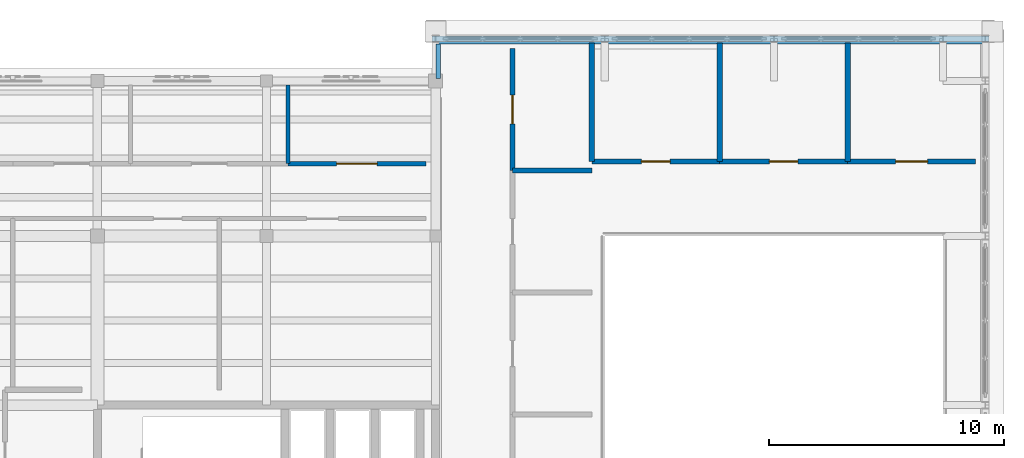
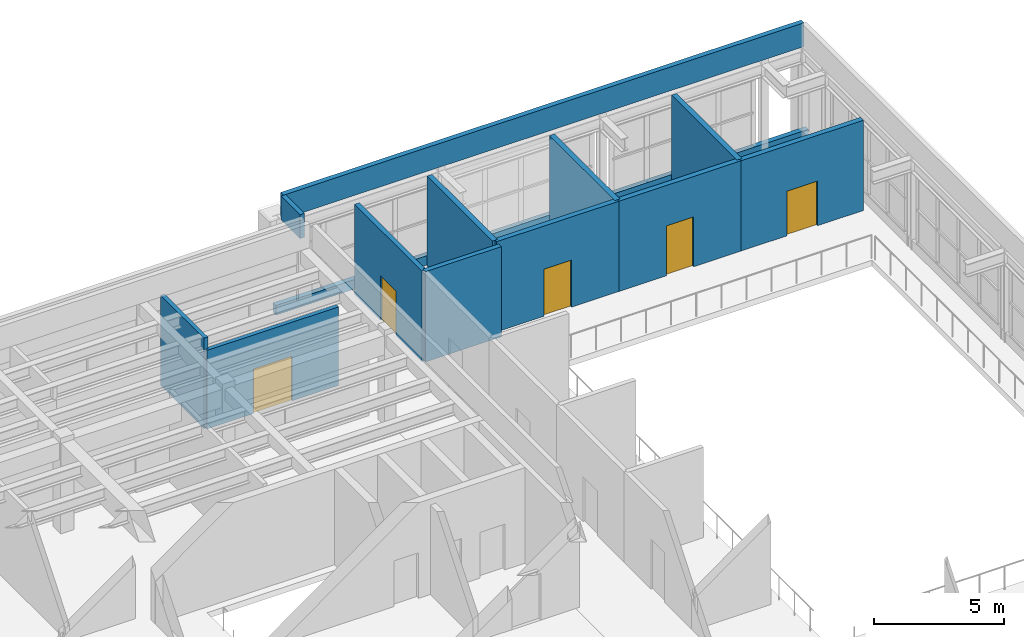
# One storey, part 16 of 18: 13 walls, 5 doors, 5 openings.
"""IFC4 building model written with IfcOpenShell, lengths in metres."""

import ifcopenshell
import ifcopenshell.guid

model = None  # the IFC model being written
_history = None  # IfcOwnerHistory: only IFC2X3 demands one
_inside = {}  # id of a spatial element -> (the spatial element, [elements in it])
_under = {}  # id of a project, library or spatial element -> (it, [spatial elements below it])
_declared = {}  # id of a project -> (the project, [libraries it declares])
_typed = {}  # id of a type object -> (the type object, [elements of that type])
_made_of = {}  # id of a material, layer set ... -> (it, [elements and type objects made of it])


def new_model(schema):
    """Start an empty IFC model of exactly this schema.

    Asked for "IFC4X3", IfcOpenShell would pick the latest addendum, in which some entities
    have other attributes; the version numbers below select the first issue.
    IFC2X3 requires an IfcOwnerHistory on every rooted entity: one is made here for all.
    """
    global model, _history
    if schema == "IFC4X3":
        model = ifcopenshell.file(schema_version=(4, 3, 0, 0))
    else:
        model = ifcopenshell.file(schema=schema)
    _inside.clear()
    _under.clear()
    _declared.clear()
    _typed.clear()
    _made_of.clear()
    _history = None
    if model.schema == "IFC2X3":
        org = make("IfcOrganization", Name="unknown")
        user = make(
            "IfcPersonAndOrganization",
            ThePerson=make("IfcPerson", FamilyName="unknown"),
            TheOrganization=org,
        )
        app = make(
            "IfcApplication",
            ApplicationDeveloper=org,
            Version="unknown",
            ApplicationFullName="unknown",
            ApplicationIdentifier="unknown",
        )
        _history = make(
            "IfcOwnerHistory",
            OwningUser=user,
            OwningApplication=app,
            ChangeAction="ADDED",
            CreationDate=0,
        )
    return model


def make(cls, **values):
    """One entity of the class cls with the attributes given. An attribute that is None is left unset."""
    return model.create_entity(
        cls, **{name: value for name, value in values.items() if value is not None}
    )


def rooted(cls, **values):
    """An entity with a GlobalId (a new one), such as an element, a storey or a relation."""
    return make(cls, GlobalId=ifcopenshell.guid.new(), OwnerHistory=_history, **values)


def si_unit(unit_type, name, prefix=None):
    """IfcSIUnit, for example si_unit("LENGTHUNIT", "METRE", prefix="MILLI")."""
    return make("IfcSIUnit", UnitType=unit_type, Prefix=prefix, Name=name)


def assignment(units):
    """IfcUnitAssignment: the units of a project."""
    return None if units is None else make("IfcUnitAssignment", Units=units)


def point(xyz):
    """IfcCartesianPoint."""
    return None if xyz is None else make("IfcCartesianPoint", Coordinates=xyz)


def direction(xyz):
    """IfcDirection."""
    return None if xyz is None else make("IfcDirection", DirectionRatios=xyz)


def frame(location, z_axis=None, x_axis=None):
    """IfcAxis2Placement3D, a coordinate frame: its origin and axes. An axis left out is left unset."""
    return make(
        "IfcAxis2Placement3D",
        Location=point(location),
        Axis=direction(z_axis),
        RefDirection=direction(x_axis),
    )


def frame_2d(location, x_axis=None):
    """IfcAxis2Placement2D, a coordinate frame in the plane: its origin and x axis."""
    return make(
        "IfcAxis2Placement2D", Location=point(location), RefDirection=direction(x_axis)
    )


def origin():
    """The frame at (0, 0, 0) with its axes left unset."""
    return frame((0.0, 0.0, 0.0))


def place(relative_to, where):
    """IfcLocalPlacement: puts the frame where relative to a parent placement (None: the world)."""
    return make(
        "IfcLocalPlacement", PlacementRelTo=relative_to, RelativePlacement=where
    )


def context(
    kind, dimensions, precision=None, world=None, true_north=None, identifier=None
):
    """IfcGeometricRepresentationContext, for example the 3D "Model" context."""
    return make(
        "IfcGeometricRepresentationContext",
        ContextIdentifier=identifier,
        ContextType=kind,
        CoordinateSpaceDimension=dimensions,
        Precision=precision,
        WorldCoordinateSystem=world,
        TrueNorth=true_north,
    )


def subcontext(parent, identifier, kind, view, scale=None):
    """IfcGeometricRepresentationSubContext, for example "Body" below "Model"."""
    return make(
        "IfcGeometricRepresentationSubContext",
        ContextIdentifier=identifier,
        ContextType=kind,
        ParentContext=parent,
        TargetScale=scale,
        TargetView=view,
    )


def project(units=None, contexts=None):
    """IfcProject with its units and contexts."""
    return rooted(
        "IfcProject",
        Name="project",
        RepresentationContexts=contexts,
        UnitsInContext=assignment(units),
    )


def spatial(cls, under=None, at=None, **own):
    """A site, building, storey or space (cls), placed at a placement, below another one or the project."""
    s = rooted(cls, ObjectPlacement=at, **own)
    if under is not None:
        _under.setdefault(under.id(), (under, []))[1].append(s)
    return s


def profile(cls, at=None, kind="AREA", **sizes):
    """A parametric profile (cls). Its sizes go by their IFC names, for example OverallWidth=200.0."""
    return make(cls, ProfileType=kind, Position=at, **sizes)


def rectangle(**sizes):
    """IfcRectangleProfileDef."""
    return profile("IfcRectangleProfileDef", **sizes)


def extrude(swept, where, along, depth):
    """IfcExtrudedAreaSolid: the profile swept, set in the frame where, extruded along a direction by depth."""
    return make(
        "IfcExtrudedAreaSolid",
        SweptArea=swept,
        Position=where,
        ExtrudedDirection=direction(along),
        Depth=depth,
    )


def shape(context_of_items, identifier, shape_type, items):
    """IfcShapeRepresentation: the items that make up one representation, for example the "Body"."""
    return make(
        "IfcShapeRepresentation",
        ContextOfItems=context_of_items,
        RepresentationIdentifier=identifier,
        RepresentationType=shape_type,
        Items=items,
    )


def material(Name=None, Category=None):
    """IfcMaterial."""
    return make("IfcMaterial", Name=Name, Category=Category)


def layer(
    of_material, thickness, ventilated=None, Name=None, Category=None, Priority=None
):
    """IfcMaterialLayer: one layer of a wall or slab, of a material (None: an air gap)."""
    return make(
        "IfcMaterialLayer",
        Material=of_material,
        LayerThickness=thickness,
        IsVentilated=ventilated,
        Name=Name,
        Category=Category,
        Priority=Priority,
    )


def layer_set(layers, Name=None):
    """IfcMaterialLayerSet."""
    return make("IfcMaterialLayerSet", MaterialLayers=layers, LayerSetName=Name)


def made_of(thing, what):
    """Note that an element or type object is made of a material, layer set ...; save() writes the relation."""
    if what is not None:
        _made_of.setdefault(what.id(), (what, []))[1].append(thing)
    return thing


def type_object(cls, material=None, **own):
    """A type object (cls), such as IfcWallType, which elements share."""
    return made_of(rooted(cls, **own), material)


def element(
    cls,
    number,
    at=None,
    inside=None,
    cuts=None,
    type_object=None,
    material=None,
    context=None,
    identifier="Body",
    shape_type=None,
    held_by="IfcProductDefinitionShape",
    body=None,
    shapes=None,
    **own,
):
    """One element of the class cls, such as IfcWall. Its Tag is "e" and its number.

    at: its placement. inside: the storey or other place that contains it. cuts: it is an
    opening in that element (IfcRelVoidsElement). A single representation is given by context,
    identifier, shape_type and body (its items); several are given by shapes. held_by: the class
    of the entity that holds the representations. save() writes the other relations.
    """
    e = rooted(cls, Tag="e%d" % number, ObjectPlacement=at, **own)
    if body is not None:
        shapes = [shape(context, identifier, shape_type, body)]
    if shapes is not None:
        e.Representation = make(held_by, Representations=shapes)
    if inside is not None:
        _inside.setdefault(inside.id(), (inside, []))[1].append(e)
    if cuts is not None:
        rooted(
            "IfcRelVoidsElement", RelatingBuildingElement=cuts, RelatedOpeningElement=e
        )
    if type_object is not None:
        _typed.setdefault(type_object.id(), (type_object, []))[1].append(e)
    return made_of(e, material)


def fill(opening, filler):
    """IfcRelFillsElement: the door or window that sits in an opening."""
    return rooted(
        "IfcRelFillsElement",
        RelatingOpeningElement=opening,
        RelatedBuildingElement=filler,
    )


def aggregate(whole, parts):
    """IfcRelAggregates: a whole, such as a stair, and the parts it consists of."""
    return rooted("IfcRelAggregates", RelatingObject=whole, RelatedObjects=parts)


def save(model, path):
    """Write the relations noted so far, then the file.

    IfcRelAggregates (storeys below a building ...), IfcRelContainedInSpatialStructure (elements
    in a storey), IfcRelDefinesByType, IfcRelAssociatesMaterial and IfcRelDeclares: one each for
    every whole, place, type object, material and project.
    """
    for whole, parts in _under.values():
        aggregate(whole, parts)
    for where, things in _inside.values():
        rooted(
            "IfcRelContainedInSpatialStructure",
            RelatedElements=things,
            RelatingStructure=where,
        )
    for kind, things in _typed.values():
        rooted("IfcRelDefinesByType", RelatedObjects=things, RelatingType=kind)
    for what, things in _made_of.values():
        rooted("IfcRelAssociatesMaterial", RelatedObjects=things, RelatingMaterial=what)
    for by, libraries in _declared.values():
        rooted("IfcRelDeclares", RelatingContext=by, RelatedDefinitions=libraries)
    model.write(path)


model = new_model("IFC4")

# Units and contexts
model_context = context("Model", 3, precision=1e-05, world=origin(), true_north=direction((0.0, 1.0)))
body_context = subcontext(model_context, "Body", "Model", "MODEL_VIEW")
ifc_project = project(units=[si_unit("LENGTHUNIT", "METRE"), si_unit("AREAUNIT", "SQUARE_METRE"), si_unit("VOLUMEUNIT", "CUBIC_METRE"), si_unit("PLANEANGLEUNIT", "RADIAN"), si_unit("MASSUNIT", "GRAM", prefix="KILO")], contexts=[model_context])

# Site, building, storey
site_placement = place(None, origin())
site = spatial("IfcSite", under=ifc_project, at=site_placement, CompositionType="ELEMENT")
building_placement = place(site_placement, origin())
building = spatial("IfcBuilding", under=site, at=building_placement, Name="Mithqara Police Headquarters", CompositionType="ELEMENT")
storey_placement = place(building_placement, frame((0.0, 0.0, 30.89990234375)))
storey = spatial("IfcBuildingStorey", under=building, at=storey_placement, Name="L07", CompositionType="ELEMENT", Elevation=30.89990234375)

# Walls
ifc_material_1 = material(Name="Limestone ashlar masonry, 45 MPa", Category="masonry")
ifc_layer_1 = layer(ifc_material_1, 0.199951171875, Name="Limestone ashlar masonry, 45 MPa")
ifc_layer_set_1 = layer_set([ifc_layer_1], Name="Limestone ashlar masonry, 45 MPa")
wall_type_1 = type_object("IfcWallType", Name="PARAPET WALL 200", PredefinedType="PARAPET", material=ifc_layer_set_1)
wall_1_placement = place(storey_placement, frame((144.7099609375, 114.110107421875, 4.5), z_axis=(0.0, 0.0, 1.0), x_axis=(0.0, 1.0, 0.0)))
element("IfcWall", 1, at=wall_1_placement, inside=storey, type_object=wall_type_1, Name="ROOF Limestone Roof Parapet ROOF-L07-00-54", PredefinedType="PARAPET", context=body_context, shape_type="SweptSolid", body=[
    extrude(rectangle(XDim=1.469970703125, YDim=0.199951171875, at=frame_2d((0.73486328125, 0.0))), origin(), (0.0, 0.0, 1.0), 1.1201171875),
])
ifc_layer_2 = layer(ifc_material_1, 0.219970703125, Name="Limestone ashlar masonry, 45 MPa")
ifc_layer_set_2 = layer_set([ifc_layer_2], Name="Limestone ashlar masonry, 45 MPa")
wall_type_2 = type_object("IfcWallType", Name="PARAPET WALL 220", PredefinedType="PARAPET", material=ifc_layer_set_2)
wall_2_placement = place(storey_placement, frame((168.14990234375, 115.800048828125, 0.0), z_axis=(0.0, 0.0, 1.0), x_axis=(-1.0, 0.0, 0.0)))
element("IfcWall", 2, at=wall_2_placement, inside=storey, type_object=wall_type_2, Name="L07 Command Cube Sill Curb 4", PredefinedType="PARAPET", context=body_context, shape_type="SweptSolid", body=[
    extrude(rectangle(XDim=23.699951171875, YDim=0.219970703125, at=frame_2d((11.85009765625, 0.0))), origin(), (0.0, 0.0, 1.0), 0.4501953125),
])
wall_3_placement = place(storey_placement, frame((144.7099609375, 115.68994140625, 4.5), z_axis=(0.0, 0.0, 1.0), x_axis=(1.0, 0.0, 0.0)))
element("IfcWall", 3, at=wall_3_placement, inside=storey, type_object=wall_type_2, Name="ROOF Limestone Roof Parapet ROOF-L07-00-55", PredefinedType="PARAPET", context=body_context, shape_type="SweptSolid", body=[
    extrude(rectangle(XDim=23.179931640625, YDim=0.219970703125, at=frame_2d((11.58984375, 0.0))), origin(), (0.0, 0.0, 1.0), 1.1201171875),
])
ifc_material_2 = material(Name="Concrete C40/50", Category="concrete")
ifc_layer_3 = layer(ifc_material_2, 0.179931640625, Name="Concrete C40/50")
ifc_layer_set_3 = layer_set([ifc_layer_3], Name="Concrete C40/50")
wall_type_3 = type_object("IfcWallType", Name="PART WALL 180", PredefinedType="PARTITIONING", material=ifc_layer_set_3)
wall_4_placement = place(storey_placement, frame((138.320068359375, 110.47998046875, 0.0), z_axis=(0.0, 0.0, 1.0), x_axis=(0.0, 1.0, 0.0)))
element("IfcWall", 4, at=wall_4_placement, inside=storey, type_object=wall_type_3, Name="L07 Room Partition Executive Conference Room", PredefinedType="PARTITIONING", context=body_context, shape_type="SweptSolid", body=[
    extrude(rectangle(XDim=3.340087890625, YDim=0.179931640625, at=frame_2d((1.669921875, 0.0))), origin(), (0.0, 0.0, 1.0), 4.25),
])

# Wall, opening, door
wall_5_placement = place(storey_placement, frame((138.320068359375, 110.47998046875, 0.0), z_axis=(0.0, 0.0, 1.0), x_axis=(1.0, 0.0, 0.0)))
wall_5 = element("IfcWall", 5, at=wall_5_placement, inside=storey, type_object=wall_type_3, Name="L07 Corridor Wall Interagency Situation Room", PredefinedType="PARTITIONING", context=body_context, shape_type="SweptSolid", body=[
    extrude(rectangle(XDim=5.85986328125, YDim=0.179931640625, at=frame_2d((2.929931640625, 0.0))), origin(), (0.0, 0.0, 1.0), 3.7001953125),
])
opening_1_placement = place(wall_5_placement, frame((2.070068359375, 0.0, 0.0)))
opening_1 = element("IfcOpeningElement", 6, at=opening_1_placement, cuts=wall_5, Name="Opening D-22", PredefinedType="OPENING", context=body_context, shape_type="SweptSolid", body=[
    extrude(rectangle(XDim=1.719970703125, YDim=2.10009765625, at=frame_2d((0.85986328125, 1.050048828125))), frame((0.0, 0.10009765625, 0.0), z_axis=(0.0, -1.0, 0.0), x_axis=(1.0, 0.0, 0.0)), (0.0, 0.0, 1.0), 0.199951171875),
])
ifc_material_3 = material(Name="Bronze anodised aluminium 6063-T6", Category="aluminium")
door_type_1 = type_object("IfcDoorType", Name="INT DOOR 1720X2100", OperationType="NOTDEFINED", PredefinedType="DOOR", material=ifc_material_3)
door_1_placement = place(opening_1_placement, origin())
door_1 = element("IfcDoor", 7, at=door_1_placement, inside=storey, type_object=door_type_1, Name="Interagency Situation Room Entry Door", OperationType="DOUBLE_DOOR_SINGLE_SWING", OverallHeight=2.10009765625, OverallWidth=1.719970703125, PredefinedType="DOOR", context=body_context, shape_type="SweptSolid", body=[
    extrude(rectangle(XDim=1.719970703125, YDim=2.10009765625, at=frame_2d((0.85986328125, 1.050048828125))), frame((0.0, 0.02490234375, 0.0), z_axis=(0.0, -1.0, 0.0), x_axis=(1.0, 0.0, 0.0)), (0.0, 0.0, 1.0), 0.050048828125),
])
fill(opening_1, door_1)

# Wall
ifc_layer_4 = layer(ifc_material_2, 0.2099609375, Name="Concrete C40/50")
ifc_layer_set_4 = layer_set([ifc_layer_4], Name="Concrete C40/50")
wall_type_4 = type_object("IfcWallType", Name="PART WALL 210", PredefinedType="PARTITIONING", material=ifc_layer_set_4)
wall_6_placement = place(storey_placement, frame((147.8701171875, 110.18603515625, 0.0), z_axis=(0.0, 0.0, 1.0), x_axis=(1.0, 0.0, 0.0)))
element("IfcWall", 8, at=wall_6_placement, inside=storey, type_object=wall_type_4, Name="L07 Room Partition Gold Command Decision Room", PredefinedType="PARTITIONING", context=body_context, shape_type="SweptSolid", body=[
    extrude(rectangle(XDim=3.3798828125, YDim=0.2099609375, at=frame_2d((1.68994140625, 0.0))), origin(), (0.0, 0.0, 1.0), 4.25),
])

# Wall, opening, door
wall_7_placement = place(storey_placement, frame((147.8701171875, 110.18603515625, 0.0), z_axis=(0.0, 0.0, 1.0), x_axis=(0.0, 1.0, 0.0)))
wall_7 = element("IfcWall", 9, at=wall_7_placement, inside=storey, type_object=wall_type_4, Name="L07 Corridor Wall Command Viewing Gallery", PredefinedType="PARTITIONING", context=body_context, shape_type="SweptSolid", body=[
    extrude(rectangle(XDim=5.19384765625, YDim=0.2099609375, at=frame_2d((2.596923828125, 0.0))), origin(), (0.0, 0.0, 1.0), 4.25),
])
opening_2_placement = place(wall_7_placement, frame((1.987060546875, 0.0, 0.0)))
opening_2 = element("IfcOpeningElement", 10, at=opening_2_placement, cuts=wall_7, Name="Opening D-13", PredefinedType="OPENING", context=body_context, shape_type="SweptSolid", body=[
    extrude(rectangle(XDim=1.219970703125, YDim=2.10009765625, at=frame_2d((0.60986328125, 1.050048828125))), frame((0.0, 0.114990234375, 0.0), z_axis=(0.0, -1.0, 0.0), x_axis=(1.0, 0.0, 0.0)), (0.0, 0.0, 1.0), 0.22998046875),
])
ifc_material_4 = material(Name="Acoustic solid-core timber leaf", Category="wood")
door_type_2 = type_object("IfcDoorType", Name="INT DOOR 1220X2100", OperationType="NOTDEFINED", PredefinedType="DOOR", material=ifc_material_4)
door_2_placement = place(opening_2_placement, origin())
door_2 = element("IfcDoor", 11, at=door_2_placement, inside=storey, type_object=door_type_2, Name="Command Viewing Gallery Entry Door", OperationType="SINGLE_SWING_RIGHT", OverallHeight=2.10009765625, OverallWidth=1.219970703125, PredefinedType="DOOR", context=body_context, shape_type="SweptSolid", body=[
    extrude(rectangle(XDim=1.219970703125, YDim=2.10009765625, at=frame_2d((0.60986328125, 1.050048828125))), frame((0.0, 0.02490234375, 0.0), z_axis=(0.0, -1.0, 0.0), x_axis=(1.0, 0.0, 0.0)), (0.0, 0.0, 1.0), 0.050048828125),
])
fill(opening_2, door_2)

# Wall
ifc_layer_5 = layer(ifc_material_2, 0.22998046875, Name="Concrete C40/50")
ifc_layer_set_5 = layer_set([ifc_layer_5], Name="Concrete C40/50")
wall_type_5 = type_object("IfcWallType", Name="PART WALL 230", PredefinedType="PARTITIONING", material=ifc_layer_set_5)
wall_8_placement = place(storey_placement, frame((151.25, 110.570068359375, 0.0), z_axis=(0.0, 0.0, 1.0), x_axis=(0.0, 1.0, 0.0)))
element("IfcWall", 12, at=wall_8_placement, inside=storey, type_object=wall_type_5, Name="L07 Partition End Closure E0", PredefinedType="PARTITIONING", context=body_context, shape_type="SweptSolid", body=[
    extrude(rectangle(XDim=5.050048828125, YDim=0.22998046875, at=frame_2d((2.52490234375, 0.0))), origin(), (0.0, 0.0, 1.0), 4.25),
])

# Wall, opening, door
wall_9_placement = place(storey_placement, frame((151.25, 110.570068359375, 0.0), z_axis=(0.0, 0.0, 1.0), x_axis=(1.0, 0.0, 0.0)))
wall_9 = element("IfcWall", 13, at=wall_9_placement, inside=storey, type_object=wall_type_5, Name="L07 Corridor Wall Command Viewing Gallery", PredefinedType="PARTITIONING", context=body_context, shape_type="SweptSolid", body=[
    extrude(rectangle(XDim=5.443115234375, YDim=0.22998046875, at=frame_2d((2.7216796875, 0.0))), origin(), (0.0, 0.0, 1.0), 4.25),
])
opening_3_placement = place(wall_9_placement, frame((2.111572265625, 0.0, 0.0)))
opening_3 = element("IfcOpeningElement", 14, at=opening_3_placement, cuts=wall_9, Name="Opening D-14", PredefinedType="OPENING", context=body_context, shape_type="SweptSolid", body=[
    extrude(rectangle(XDim=1.219970703125, YDim=2.219970703125, at=frame_2d((0.60986328125, 1.10986328125))), frame((0.0, 0.125, 0.0), z_axis=(0.0, -1.0, 0.0), x_axis=(1.0, 0.0, 0.0)), (0.0, 0.0, 1.0), 0.25),
])
door_type_3 = type_object("IfcDoorType", Name="INT DOOR 1220X2220", OperationType="NOTDEFINED", PredefinedType="DOOR", material=ifc_material_4)
door_3_placement = place(opening_3_placement, origin())
door_3 = element("IfcDoor", 15, at=door_3_placement, inside=storey, type_object=door_type_3, Name="Command Viewing Gallery Entry Door", OperationType="SINGLE_SWING_LEFT", OverallHeight=2.219970703125, OverallWidth=1.219970703125, PredefinedType="DOOR", context=body_context, shape_type="SweptSolid", body=[
    extrude(rectangle(XDim=1.219970703125, YDim=2.219970703125, at=frame_2d((0.60986328125, 1.10986328125))), frame((0.0, 0.02490234375, 0.0), z_axis=(0.0, -1.0, 0.0), x_axis=(1.0, 0.0, 0.0)), (0.0, 0.0, 1.0), 0.050048828125),
])
fill(opening_3, door_3)

# Wall
wall_10_placement = place(storey_placement, frame((156.693115234375, 110.570068359375, 0.0), z_axis=(0.0, 0.0, 1.0), x_axis=(0.0, 1.0, 0.0)))
element("IfcWall", 16, at=wall_10_placement, inside=storey, type_object=wall_type_5, Name="L07 Room Partition Command Viewing Gallery", PredefinedType="PARTITIONING", context=body_context, shape_type="SweptSolid", body=[
    extrude(rectangle(XDim=5.050048828125, YDim=0.22998046875, at=frame_2d((2.52490234375, 0.0))), origin(), (0.0, 0.0, 1.0), 4.25),
])

# Wall, opening, door
wall_11_placement = place(storey_placement, frame((156.693115234375, 110.570068359375, 0.0), z_axis=(0.0, 0.0, 1.0), x_axis=(1.0, 0.0, 0.0)))
wall_11 = element("IfcWall", 17, at=wall_11_placement, inside=storey, type_object=wall_type_5, Name="L07 Corridor Wall Crisis Management Suite", PredefinedType="PARTITIONING", context=body_context, shape_type="SweptSolid", body=[
    extrude(rectangle(XDim=5.44384765625, YDim=0.22998046875, at=frame_2d((2.721923828125, 0.0))), origin(), (0.0, 0.0, 1.0), 4.25),
])
opening_4_placement = place(wall_11_placement, frame((2.112060546875, 0.0, 0.0)))
opening_4 = element("IfcOpeningElement", 18, at=opening_4_placement, cuts=wall_11, Name="Opening D-15", PredefinedType="OPENING", context=body_context, shape_type="SweptSolid", body=[
    extrude(rectangle(XDim=1.219970703125, YDim=2.35009765625, at=frame_2d((0.60986328125, 1.175048828125))), frame((0.0, 0.125, 0.0), z_axis=(0.0, -1.0, 0.0), x_axis=(1.0, 0.0, 0.0)), (0.0, 0.0, 1.0), 0.25),
])
door_type_4 = type_object("IfcDoorType", Name="INT DOOR 1220X2350", OperationType="NOTDEFINED", PredefinedType="DOOR", material=ifc_material_4)
door_4_placement = place(opening_4_placement, origin())
door_4 = element("IfcDoor", 19, at=door_4_placement, inside=storey, type_object=door_type_4, Name="Crisis Management Suite Entry Door", OperationType="SINGLE_SWING_RIGHT", OverallHeight=2.35009765625, OverallWidth=1.219970703125, PredefinedType="DOOR", context=body_context, shape_type="SweptSolid", body=[
    extrude(rectangle(XDim=1.219970703125, YDim=2.35009765625, at=frame_2d((0.60986328125, 1.175048828125))), frame((0.0, 0.02490234375, 0.0), z_axis=(0.0, -1.0, 0.0), x_axis=(1.0, 0.0, 0.0)), (0.0, 0.0, 1.0), 0.050048828125),
])
fill(opening_4, door_4)

# Wall
wall_12_placement = place(storey_placement, frame((162.136962890625, 110.570068359375, 0.0), z_axis=(0.0, 0.0, 1.0), x_axis=(0.0, 1.0, 0.0)))
element("IfcWall", 20, at=wall_12_placement, inside=storey, type_object=wall_type_5, Name="L07 Room Partition Crisis Management Suite", PredefinedType="PARTITIONING", context=body_context, shape_type="SweptSolid", body=[
    extrude(rectangle(XDim=5.050048828125, YDim=0.22998046875, at=frame_2d((2.52490234375, 0.0))), origin(), (0.0, 0.0, 1.0), 4.25),
])

# Wall, opening, door
wall_13_placement = place(storey_placement, frame((162.136962890625, 110.570068359375, 0.0), z_axis=(0.0, 0.0, 1.0), x_axis=(1.0, 0.0, 0.0)))
wall_13 = element("IfcWall", 21, at=wall_13_placement, inside=storey, type_object=wall_type_5, Name="L07 Corridor Wall Gold Command Decision Room", PredefinedType="PARTITIONING", context=body_context, shape_type="SweptSolid", body=[
    extrude(rectangle(XDim=5.443115234375, YDim=0.22998046875, at=frame_2d((2.7216796875, 0.0))), origin(), (0.0, 0.0, 1.0), 4.25),
])
opening_5_placement = place(wall_13_placement, frame((2.04150390625, 0.0, 0.0)))
opening_5 = element("IfcOpeningElement", 22, at=opening_5_placement, cuts=wall_13, Name="Opening D-16", PredefinedType="OPENING", context=body_context, shape_type="SweptSolid", body=[
    extrude(rectangle(XDim=1.360107421875, YDim=2.10009765625, at=frame_2d((0.68017578125, 1.050048828125))), frame((0.0, 0.125, 0.0), z_axis=(0.0, -1.0, 0.0), x_axis=(1.0, 0.0, 0.0)), (0.0, 0.0, 1.0), 0.25),
])
door_type_5 = type_object("IfcDoorType", Name="INT DOOR 1360X2100", OperationType="NOTDEFINED", PredefinedType="DOOR", material=ifc_material_3)
door_5_placement = place(opening_5_placement, origin())
door_5 = element("IfcDoor", 23, at=door_5_placement, inside=storey, type_object=door_type_5, Name="Gold Command Decision Room Entry Door", OperationType="SINGLE_SWING_LEFT", OverallHeight=2.10009765625, OverallWidth=1.360107421875, PredefinedType="DOOR", context=body_context, shape_type="SweptSolid", body=[
    extrude(rectangle(XDim=1.360107421875, YDim=2.10009765625, at=frame_2d((0.68017578125, 1.050048828125))), frame((0.0, 0.02490234375, 0.0), z_axis=(0.0, -1.0, 0.0), x_axis=(1.0, 0.0, 0.0)), (0.0, 0.0, 1.0), 0.050048828125),
])
fill(opening_5, door_5)

save(model, "model.ifc")
